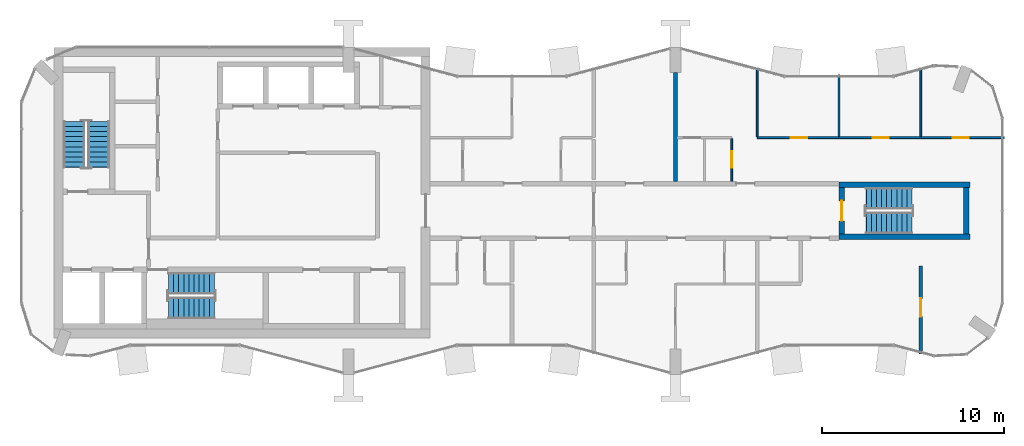
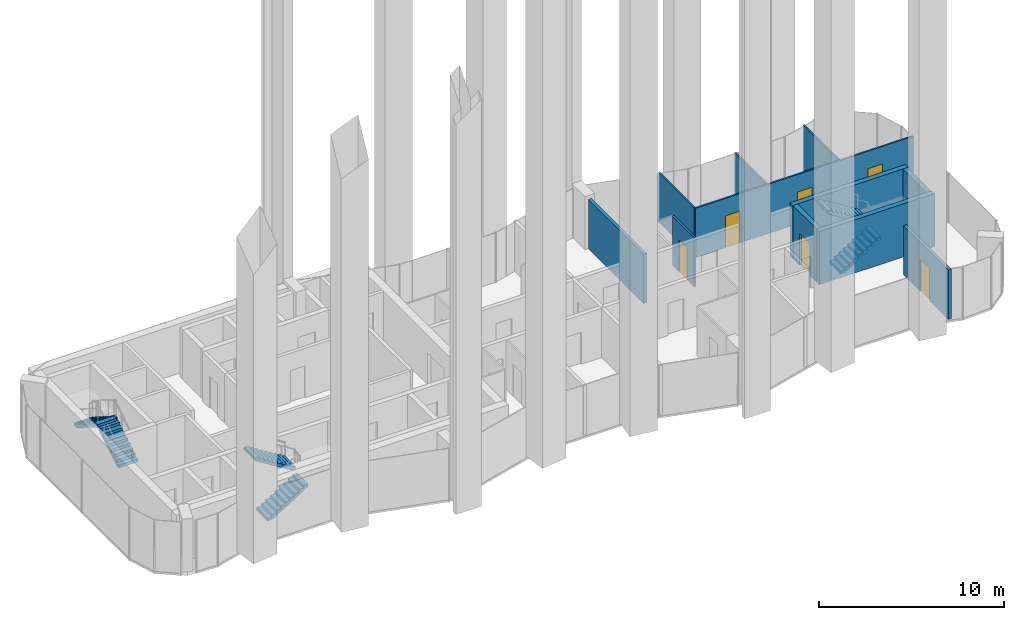
# One storey, part 9 of 11: 11 walls, 6 doors, 6 stair flights, 6 openings, 3 elements without a shape of their own.
"""IFC4 building model written with IfcOpenShell, lengths in metres."""

from ifc_helpers import new_model, si_unit, direction, frame, frame_2d, origin, place, context, subcontext, project, spatial, polyline, rectangle, outline, extrude, material, layer, layer_set, type_object, element, fill, aggregate, save


model = new_model("IFC4")

# Units and contexts
model_context = context("Model", 3, precision=1e-05, world=origin(), true_north=direction((0.0, 1.0)))
body_context = subcontext(model_context, "Body", "Model", "MODEL_VIEW")
ifc_project = project(units=[si_unit("LENGTHUNIT", "METRE"), si_unit("AREAUNIT", "SQUARE_METRE"), si_unit("VOLUMEUNIT", "CUBIC_METRE"), si_unit("PLANEANGLEUNIT", "RADIAN"), si_unit("MASSUNIT", "GRAM", prefix="KILO")], contexts=[model_context])

# Site, building, storey
site_placement = place(None, origin())
site = spatial("IfcSite", under=ifc_project, at=site_placement, CompositionType="ELEMENT")
building_placement = place(site_placement, origin())
building = spatial("IfcBuilding", under=site, at=building_placement, Name="Plateau Cross Towers", CompositionType="ELEMENT")
storey_placement = place(building_placement, frame((0.0, 0.0, 242.39990234375)))
storey = spatial("IfcBuildingStorey", under=building, at=storey_placement, Name="L63", CompositionType="ELEMENT", Elevation=242.39990234375)

# Wall, openings, doors
ifc_material_1 = material(Name="Gypsum board on steel studs", Category="steel")
ifc_layer_1 = layer(ifc_material_1, 0.10009765625)
ifc_layer_set_1 = layer_set([ifc_layer_1], Name="Gypsum board on steel studs")
wall_type_1 = type_object("IfcWallType", Name="Flat partition 100", PredefinedType="PARTITIONING", material=ifc_layer_set_1)
wall_1_placement = place(storey_placement, frame((40.5, 13.02490234375, 0.0), z_axis=(0.0, 0.0, 1.0), x_axis=(1.0, 0.0, 0.0)))
wall_1 = element("IfcWall", 1, at=wall_1_placement, inside=storey, type_object=wall_type_1, Name="Partition wall", PredefinedType="PARTITIONING", context=body_context, shape_type="SweptSolid", body=[
    extrude(rectangle(XDim=13.580078125, YDim=0.10009765625, at=frame_2d((6.7900390625, 0.0))), origin(), (0.0, 0.0, 1.0), 3.25),
])
opening_1_placement = place(wall_1_placement, frame((1.85009765625, 0.0, 0.0)))
opening_1 = element("IfcOpeningElement", 2, at=opening_1_placement, cuts=wall_1, Name="Opening 63-21", PredefinedType="OPENING", context=body_context, shape_type="SweptSolid", body=[
    extrude(rectangle(XDim=0.89990234375, YDim=2.10009765625, at=frame_2d((0.449951171875, 1.050048828125))), frame((0.0, 0.06005859375, 0.0), z_axis=(0.0, -1.0, 0.0), x_axis=(1.0, 0.0, 0.0)), (0.0, 0.0, 1.0), 0.1201171875),
])
opening_2_placement = place(wall_1_placement, frame((6.35009765625, 0.0, 0.0)))
opening_2 = element("IfcOpeningElement", 3, at=opening_2_placement, cuts=wall_1, Name="Opening 63-22", PredefinedType="OPENING", context=body_context, shape_type="SweptSolid", body=[
    extrude(rectangle(XDim=0.89990234375, YDim=2.10009765625, at=frame_2d((0.449951171875, 1.050048828125))), frame((0.0, 0.06005859375, 0.0), z_axis=(0.0, -1.0, 0.0), x_axis=(1.0, 0.0, 0.0)), (0.0, 0.0, 1.0), 0.1201171875),
])
opening_3_placement = place(wall_1_placement, frame((10.75, 0.0, 0.0)))
opening_3 = element("IfcOpeningElement", 4, at=opening_3_placement, cuts=wall_1, Name="Opening 63-23", PredefinedType="OPENING", context=body_context, shape_type="SweptSolid", body=[
    extrude(rectangle(XDim=0.89990234375, YDim=2.10009765625, at=frame_2d((0.449951171875, 1.050048828125))), frame((0.0, 0.06005859375, 0.0), z_axis=(0.0, -1.0, 0.0), x_axis=(1.0, 0.0, 0.0)), (0.0, 0.0, 1.0), 0.1201171875),
])
ifc_material_2 = material(Name="Timber leaf", Category="wood")
door_type_1 = type_object("IfcDoorType", Name="Flat room door 900", OperationType="NOTDEFINED", PredefinedType="DOOR", material=ifc_material_2)
door_1_placement = place(opening_1_placement, origin())
door_1 = element("IfcDoor", 5, at=door_1_placement, inside=storey, type_object=door_type_1, Name="Door 63-21", OperationType="SINGLE_SWING_LEFT", OverallHeight=2.10009765625, OverallWidth=0.89990234375, PredefinedType="DOOR", context=body_context, shape_type="SweptSolid", body=[
    extrude(rectangle(XDim=0.89990234375, YDim=2.10009765625, at=frame_2d((0.449951171875, 1.050048828125))), frame((0.0, 0.02490234375, 0.0), z_axis=(0.0, -1.0, 0.0), x_axis=(1.0, 0.0, 0.0)), (0.0, 0.0, 1.0), 0.050048828125),
])
fill(opening_1, door_1)
door_2_placement = place(opening_2_placement, origin())
door_2 = element("IfcDoor", 6, at=door_2_placement, inside=storey, type_object=door_type_1, Name="Door 63-22", OperationType="SINGLE_SWING_RIGHT", OverallHeight=2.10009765625, OverallWidth=0.89990234375, PredefinedType="DOOR", context=body_context, shape_type="SweptSolid", body=[
    extrude(rectangle(XDim=0.89990234375, YDim=2.10009765625, at=frame_2d((0.449951171875, 1.050048828125))), frame((0.0, 0.02490234375, 0.0), z_axis=(0.0, -1.0, 0.0), x_axis=(1.0, 0.0, 0.0)), (0.0, 0.0, 1.0), 0.050048828125),
])
fill(opening_2, door_2)
door_3_placement = place(opening_3_placement, origin())
door_3 = element("IfcDoor", 7, at=door_3_placement, inside=storey, type_object=door_type_1, Name="Door 63-23", OperationType="SINGLE_SWING_RIGHT", OverallHeight=2.10009765625, OverallWidth=0.89990234375, PredefinedType="DOOR", context=body_context, shape_type="SweptSolid", body=[
    extrude(rectangle(XDim=0.89990234375, YDim=2.10009765625, at=frame_2d((0.449951171875, 1.050048828125))), frame((0.0, 0.02490234375, 0.0), z_axis=(0.0, -1.0, 0.0), x_axis=(1.0, 0.0, 0.0)), (0.0, 0.0, 1.0), 0.050048828125),
])
fill(opening_3, door_3)

# Wall, opening, door
wall_2_placement = place(storey_placement, frame((39.10009765625, 10.625, 0.0), z_axis=(0.0, 0.0, 1.0), x_axis=(0.0, 1.0, 0.0)))
wall_2 = element("IfcWall", 8, at=wall_2_placement, inside=storey, type_object=wall_type_1, Name="Partition wall", PredefinedType="PARTITIONING", context=body_context, shape_type="SweptSolid", body=[
    extrude(rectangle(XDim=2.35009765625, YDim=0.10009765625, at=frame_2d((1.175048828125, 0.0))), origin(), (0.0, 0.0, 1.0), 3.25),
])
opening_4_placement = place(wall_2_placement, frame((0.75, 0.0, 0.0)))
opening_4 = element("IfcOpeningElement", 9, at=opening_4_placement, cuts=wall_2, Name="Opening 63-20", PredefinedType="OPENING", context=body_context, shape_type="SweptSolid", body=[
    extrude(rectangle(XDim=0.89990234375, YDim=2.10009765625, at=frame_2d((0.449951171875, 1.050048828125))), frame((0.0, 0.06005859375, 0.0), z_axis=(0.0, -1.0, 0.0), x_axis=(1.0, 0.0, 0.0)), (0.0, 0.0, 1.0), 0.1201171875),
])
door_4_placement = place(opening_4_placement, origin())
door_4 = element("IfcDoor", 10, at=door_4_placement, inside=storey, type_object=door_type_1, Name="Door 63-20", OperationType="SINGLE_SWING_RIGHT", OverallHeight=2.10009765625, OverallWidth=0.89990234375, PredefinedType="DOOR", context=body_context, shape_type="SweptSolid", body=[
    extrude(rectangle(XDim=0.89990234375, YDim=2.10009765625, at=frame_2d((0.449951171875, 1.050048828125))), frame((0.0, 0.02490234375, 0.0), z_axis=(0.0, -1.0, 0.0), x_axis=(1.0, 0.0, 0.0)), (0.0, 0.0, 1.0), 0.050048828125),
])
fill(opening_4, door_4)

# Walls
wall_3_placement = place(storey_placement, frame((40.5, 16.877685546875, 0.0), z_axis=(0.0, 0.0, 1.0), x_axis=(0.0, -1.0, 0.0)))
element("IfcWall", 11, at=wall_3_placement, inside=storey, type_object=wall_type_1, Name="Partition wall", PredefinedType="PARTITIONING", context=body_context, shape_type="SweptSolid", body=[
    extrude(rectangle(XDim=3.802734375, YDim=0.10009765625, at=frame_2d((1.9013671875, 0.0))), origin(), (0.0, 0.0, 1.0), 3.25),
])
wall_4_placement = place(storey_placement, frame((45.0, 13.074951171875, 0.0), z_axis=(0.0, 0.0, 1.0), x_axis=(0.0, 1.0, 0.0)))
element("IfcWall", 12, at=wall_4_placement, inside=storey, type_object=wall_type_1, Name="Partition wall", PredefinedType="PARTITIONING", context=body_context, shape_type="SweptSolid", body=[
    extrude(rectangle(XDim=3.398193359375, YDim=0.10009765625, at=frame_2d((1.69921875, 0.0))), origin(), (0.0, 0.0, 1.0), 3.25),
])
wall_5_placement = place(storey_placement, frame((49.5, 13.074951171875, 0.0), z_axis=(0.0, 0.0, 1.0), x_axis=(0.0, 1.0, 0.0)))
element("IfcWall", 13, at=wall_5_placement, inside=storey, type_object=wall_type_1, Name="Partition wall", PredefinedType="PARTITIONING", context=body_context, shape_type="SweptSolid", body=[
    extrude(rectangle(XDim=3.802734375, YDim=0.10009765625, at=frame_2d((1.9013671875, 0.0))), origin(), (0.0, 0.0, 1.0), 3.25),
])
ifc_material_3 = material(Name="Gypsum board on steel studs, two layers each side", Category="steel")
ifc_layer_2 = layer(ifc_material_3, 0.199951171875)
ifc_layer_set_2 = layer_set([ifc_layer_2], Name="Gypsum board on steel studs, two layers each side")
wall_type_2 = type_object("IfcWallType", Name="Flat party wall 200", PredefinedType="PARTITIONING", material=ifc_layer_set_2)
wall_6_placement = place(storey_placement, frame((36.0, 10.625, 0.0), z_axis=(0.0, 0.0, 1.0), x_axis=(0.0, 1.0, 0.0)))
element("IfcWall", 14, at=wall_6_placement, inside=storey, type_object=wall_type_2, Name="Party wall", PredefinedType="PARTITIONING", context=body_context, shape_type="SweptSolid", body=[
    extrude(rectangle(XDim=5.97509765625, YDim=0.199951171875, at=frame_2d((2.987548828125, 0.0))), origin(), (0.0, 0.0, 1.0), 3.25),
])

# Wall, opening, door
wall_7_placement = place(storey_placement, frame((49.5, 1.122314453125, 0.0), z_axis=(0.0, 0.0, 1.0), x_axis=(0.0, 1.0, 0.0)))
wall_7 = element("IfcWall", 15, at=wall_7_placement, inside=storey, type_object=wall_type_2, Name="Party wall", PredefinedType="PARTITIONING", context=body_context, shape_type="SweptSolid", body=[
    extrude(rectangle(XDim=4.82763671875, YDim=0.199951171875, at=frame_2d((2.413818359375, 0.0))), origin(), (0.0, 0.0, 1.0), 3.25),
])
opening_5_placement = place(wall_7_placement, frame((2.050048828125, 0.0, 0.0)))
opening_5 = element("IfcOpeningElement", 16, at=opening_5_placement, cuts=wall_7, Name="Opening 63-10", PredefinedType="OPENING", context=body_context, shape_type="SweptSolid", body=[
    extrude(rectangle(XDim=1.0, YDim=2.10009765625, at=frame_2d((0.5, 1.050048828125))), frame((0.0, 0.10986328125, 0.0), z_axis=(0.0, -1.0, 0.0), x_axis=(1.0, 0.0, 0.0)), (0.0, 0.0, 1.0), 0.219970703125),
])
ifc_material_4 = material(Name="Timber, fire-resisting leaf", Category="wood")
door_type_2 = type_object("IfcDoorType", Name="Flat entrance door 1000", OperationType="NOTDEFINED", PredefinedType="DOOR", material=ifc_material_4)
door_5_placement = place(opening_5_placement, origin())
door_5 = element("IfcDoor", 17, at=door_5_placement, inside=storey, type_object=door_type_2, Name="Door 63-10", OperationType="SINGLE_SWING_RIGHT", OverallHeight=2.10009765625, OverallWidth=1.0, PredefinedType="DOOR", context=body_context, shape_type="SweptSolid", body=[
    extrude(rectangle(XDim=1.0, YDim=2.10009765625, at=frame_2d((0.5, 1.050048828125))), frame((0.0, 0.02490234375, 0.0), z_axis=(0.0, -1.0, 0.0), x_axis=(1.0, 0.0, 0.0)), (0.0, 0.0, 1.0), 0.050048828125),
])
fill(opening_5, door_5)

ifc_material_5 = material(Name="Concrete C60/75", Category="concrete")
ifc_layer_3 = layer(ifc_material_5, 0.300048828125)
ifc_layer_set_3 = layer_set([ifc_layer_3], Name="Concrete C60/75")
wall_type_3 = type_object("IfcWallType", Name="Stair tower wall 300", PredefinedType="SHEAR", material=ifc_layer_set_3)
wall_8_placement = place(storey_placement, frame((45.14990234375, 7.72509765625, 0.0), z_axis=(0.0, 0.0, 1.0), x_axis=(0.0, 1.0, 0.0)))
wall_8 = element("IfcWall", 18, at=wall_8_placement, inside=storey, type_object=wall_type_3, Name="A-end-E-W@L63", PredefinedType="SHEAR", context=body_context, shape_type="SweptSolid", body=[
    extrude(rectangle(XDim=2.5498046875, YDim=0.300048828125, at=frame_2d((1.27490234375, 0.0))), origin(), (0.0, 0.0, 1.0), 3.5),
])
opening_6_placement = place(wall_8_placement, frame((0.72509765625, 0.0, 0.0)))
opening_6 = element("IfcOpeningElement", 19, at=opening_6_placement, cuts=wall_8, Name="Opening SD", PredefinedType="OPENING", context=body_context, shape_type="SweptSolid", body=[
    extrude(rectangle(XDim=1.10009765625, YDim=2.10009765625, at=frame_2d((0.550048828125, 1.050048828125))), frame((0.0, 0.159912109375, 0.0), z_axis=(0.0, -1.0, 0.0), x_axis=(1.0, 0.0, 0.0)), (0.0, 0.0, 1.0), 0.320068359375),
])
ifc_material_6 = material(Name="Steel, fire-resisting leaf", Category="steel")
door_type_3 = type_object("IfcDoorType", Name="Stair door 1100", OperationType="NOTDEFINED", PredefinedType="DOOR", material=ifc_material_6)
door_6_placement = place(opening_6_placement, origin())
door_6 = element("IfcDoor", 20, at=door_6_placement, inside=storey, type_object=door_type_3, Name="Stair door SD", OperationType="SINGLE_SWING_LEFT", OverallHeight=2.10009765625, OverallWidth=1.10009765625, PredefinedType="DOOR", context=body_context, shape_type="SweptSolid", body=[
    extrude(rectangle(XDim=1.10009765625, YDim=2.10009765625, at=frame_2d((0.550048828125, 1.050048828125))), frame((0.0, 0.02490234375, 0.0), z_axis=(0.0, -1.0, 0.0), x_axis=(1.0, 0.0, 0.0)), (0.0, 0.0, 1.0), 0.050048828125),
])
fill(opening_6, door_6)

# Walls
wall_9_placement = place(storey_placement, frame((52.0, 7.72509765625, 0.0), z_axis=(0.0, 0.0, 1.0), x_axis=(0.0, 1.0, 0.0)))
element("IfcWall", 21, at=wall_9_placement, inside=storey, type_object=wall_type_3, Name="A-end-E-E@L63", PredefinedType="SHEAR", context=body_context, shape_type="SweptSolid", body=[
    extrude(rectangle(XDim=2.5498046875, YDim=0.300048828125, at=frame_2d((1.27490234375, 0.0))), origin(), (0.0, 0.0, 1.0), 3.5),
])
for number, where, z_axis, x_axis, name in (
    (22, (45.0, 7.574951171875, 0.0), (0.0, 0.0, 1.0), (1.0, 0.0, 0.0), "A-end-E-S@L63"),
    (23, (45.0, 10.425048828125, 0.0), (0.0, 0.0, 1.0), (1.0, 0.0, 0.0), "A-end-E-N@L63"),
):
    element("IfcWall", number, at=place(storey_placement, frame(where, z_axis=z_axis, x_axis=x_axis)), inside=storey, type_object=wall_type_3, Name=name, PredefinedType="SHEAR", context=body_context, shape_type="SweptSolid", body=[
        extrude(rectangle(XDim=7.199951171875, YDim=0.300048828125, at=frame_2d((3.60009765625, 0.0))), origin(), (0.0, 0.0, 1.0), 3.5),
    ])

# Stair, stair flights
ifc_material_7 = material(Name="Concrete C40/50", Category="concrete")
stair_type = type_object("IfcStairType", Name="ST-TWR", PredefinedType="HALF_TURN_STAIR", material=ifc_material_7)
stair_1_placement = place(storey_placement, origin())
stair_1 = element("IfcStair", 24, at=stair_1_placement, inside=storey, type_object=stair_type, Name="L63 Protected Exit Stair ST-1", PredefinedType="HALF_TURN_STAIR")
stair_flight_type = type_object("IfcStairFlightType", Name="SFL-RC", PredefinedType="STRAIGHT", material=ifc_material_7)
stair_flight_1_placement = place(storey_placement, frame((4.25, 11.39990234375, 0.0), z_axis=(0.0, 0.0, 1.0), x_axis=(0.0, 1.0, 0.0)))
stair_flight_1 = element("IfcStairFlight", 25, at=stair_flight_1_placement, type_object=stair_flight_type, Name="ST-1 flight 1", NumberOfRisers=10, NumberOfTreads=9, PredefinedType="STRAIGHT", RiserHeight=0.175, TreadLength=0.28, context=body_context, shape_type="SweptSolid", body=[
    extrude(outline(polyline([(-0.0048828125, -0.010009765625), (-0.0048828125, 0.0), (0.0, 0.0), (0.0, 0.175048828125), (0.280029296875, 0.175048828125), (0.280029296875, 0.35009765625), (0.56005859375, 0.35009765625), (0.56005859375, 0.52490234375), (0.840087890625, 0.52490234375), (0.840087890625, 0.699951171875), (1.1201171875, 0.699951171875), (1.1201171875, 0.875), (1.39990234375, 0.875), (1.39990234375, 1.050048828125), (1.679931640625, 1.050048828125), (1.679931640625, 1.22509765625), (1.9599609375, 1.22509765625), (1.9599609375, 1.39990234375), (2.239990234375, 1.39990234375), (2.239990234375, 1.574951171875), (2.52001953125, 1.574951171875), (2.52490234375, 1.56494140625), (2.52490234375, 1.398193359375), (2.52001953125, 1.398193359375), (0.28271484375, 0.0), (0.02001953125, 0.0), (0.02001953125, -0.010009765625), (-0.0048828125, -0.010009765625)])), frame((0.0, 0.60009765625, 0.0), z_axis=(0.0, -1.0, 0.0), x_axis=(1.0, 0.0, 0.0)), (0.0, 0.0, 1.0), 1.199951171875),
])
stair_flight_2_placement = place(storey_placement, frame((2.89990234375, 13.919921875, 1.75), z_axis=(0.0, 0.0, 1.0), x_axis=(0.0, -1.0, 0.0)))
stair_flight_2 = element("IfcStairFlight", 26, at=stair_flight_2_placement, type_object=stair_flight_type, Name="ST-1 flight 2", NumberOfRisers=10, NumberOfTreads=9, PredefinedType="STRAIGHT", RiserHeight=0.175, TreadLength=0.28, context=body_context, shape_type="SweptSolid", body=[
    extrude(outline(polyline([(-0.0048828125, -0.010009765625), (-0.0048828125, 0.0), (0.0, 0.0), (0.0, 0.175048828125), (0.280029296875, 0.175048828125), (0.280029296875, 0.35009765625), (0.56005859375, 0.35009765625), (0.56005859375, 0.52490234375), (0.840087890625, 0.52490234375), (0.840087890625, 0.699951171875), (1.1201171875, 0.699951171875), (1.1201171875, 0.875), (1.39990234375, 0.875), (1.39990234375, 1.050048828125), (1.679931640625, 1.050048828125), (1.679931640625, 1.22509765625), (1.9599609375, 1.22509765625), (1.9599609375, 1.39990234375), (2.239990234375, 1.39990234375), (2.239990234375, 1.574951171875), (2.52001953125, 1.574951171875), (2.52490234375, 1.56494140625), (2.52490234375, 1.398193359375), (2.52001953125, 1.398193359375), (0.28271484375, 0.0), (0.02001953125, 0.0), (0.02001953125, -0.010009765625), (-0.0048828125, -0.010009765625)])), frame((0.0, 0.60009765625, 0.0), z_axis=(0.0, -1.0, 0.0), x_axis=(1.0, 0.0, 0.0)), (0.0, 0.0, 1.0), 1.199951171875),
])
aggregate(stair_1, [stair_flight_1, stair_flight_2])

stair_2_placement = place(storey_placement, origin())
stair_2 = element("IfcStair", 27, at=stair_2_placement, inside=storey, type_object=stair_type, Name="L63 Protected Exit Stair ST-2", PredefinedType="HALF_TURN_STAIR")
stair_flight_3_placement = place(storey_placement, frame((8.10009765625, 3.64990234375, 0.0), z_axis=(0.0, 0.0, 1.0), x_axis=(1.0, 0.0, 0.0)))
stair_flight_3 = element("IfcStairFlight", 28, at=stair_flight_3_placement, type_object=stair_flight_type, Name="ST-2 flight 1", NumberOfRisers=10, NumberOfTreads=9, PredefinedType="STRAIGHT", RiserHeight=0.175, TreadLength=0.28, context=body_context, shape_type="SweptSolid", body=[
    extrude(outline(polyline([(-0.0048828125, -0.010009765625), (-0.0048828125, 0.0), (0.0, 0.0), (0.0, 0.175048828125), (0.280029296875, 0.175048828125), (0.280029296875, 0.35009765625), (0.56005859375, 0.35009765625), (0.56005859375, 0.52490234375), (0.840087890625, 0.52490234375), (0.840087890625, 0.699951171875), (1.1201171875, 0.699951171875), (1.1201171875, 0.875), (1.39990234375, 0.875), (1.39990234375, 1.050048828125), (1.679931640625, 1.050048828125), (1.679931640625, 1.22509765625), (1.9599609375, 1.22509765625), (1.9599609375, 1.39990234375), (2.239990234375, 1.39990234375), (2.239990234375, 1.574951171875), (2.52001953125, 1.574951171875), (2.52490234375, 1.56494140625), (2.52490234375, 1.398193359375), (2.52001953125, 1.398193359375), (0.28271484375, 0.0), (0.02001953125, 0.0), (0.02001953125, -0.010009765625), (-0.0048828125, -0.010009765625)])), frame((0.0, 0.60009765625, 0.0), z_axis=(0.0, -1.0, 0.0), x_axis=(1.0, 0.0, 0.0)), (0.0, 0.0, 1.0), 1.199951171875),
])
stair_flight_4_placement = place(storey_placement, frame((10.6201171875, 5.0, 1.75), z_axis=(0.0, 0.0, 1.0), x_axis=(-1.0, 0.0, 0.0)))
stair_flight_4 = element("IfcStairFlight", 29, at=stair_flight_4_placement, type_object=stair_flight_type, Name="ST-2 flight 2", NumberOfRisers=10, NumberOfTreads=9, PredefinedType="STRAIGHT", RiserHeight=0.175, TreadLength=0.28, context=body_context, shape_type="SweptSolid", body=[
    extrude(outline(polyline([(-0.0048828125, -0.010009765625), (-0.0048828125, 0.0), (0.0, 0.0), (0.0, 0.175048828125), (0.280029296875, 0.175048828125), (0.280029296875, 0.35009765625), (0.56005859375, 0.35009765625), (0.56005859375, 0.52490234375), (0.840087890625, 0.52490234375), (0.840087890625, 0.699951171875), (1.1201171875, 0.699951171875), (1.1201171875, 0.875), (1.39990234375, 0.875), (1.39990234375, 1.050048828125), (1.679931640625, 1.050048828125), (1.679931640625, 1.22509765625), (1.9599609375, 1.22509765625), (1.9599609375, 1.39990234375), (2.239990234375, 1.39990234375), (2.239990234375, 1.574951171875), (2.52001953125, 1.574951171875), (2.52490234375, 1.56494140625), (2.52490234375, 1.398193359375), (2.52001953125, 1.398193359375), (0.28271484375, 0.0), (0.02001953125, 0.0), (0.02001953125, -0.010009765625), (-0.0048828125, -0.010009765625)])), frame((0.0, 0.60009765625, 0.0), z_axis=(0.0, -1.0, 0.0), x_axis=(1.0, 0.0, 0.0)), (0.0, 0.0, 1.0), 1.199951171875),
])
aggregate(stair_2, [stair_flight_3, stair_flight_4])

stair_3_placement = place(storey_placement, origin())
stair_3 = element("IfcStair", 30, at=stair_3_placement, inside=storey, type_object=stair_type, Name="L63 Protected Exit Stair E", PredefinedType="HALF_TURN_STAIR")
stair_flight_5_placement = place(storey_placement, frame((46.5, 8.324951171875, 0.0), z_axis=(0.0, 0.0, 1.0), x_axis=(1.0, 0.0, 0.0)))
stair_flight_5 = element("IfcStairFlight", 31, at=stair_flight_5_placement, type_object=stair_flight_type, Name="ES-E flight 1", NumberOfRisers=10, NumberOfTreads=9, PredefinedType="STRAIGHT", RiserHeight=0.175, TreadLength=0.28, context=body_context, shape_type="SweptSolid", body=[
    extrude(outline(polyline([(-0.0048828125, -0.010009765625), (-0.0048828125, 0.0), (0.0, 0.0), (0.0, 0.175048828125), (0.280029296875, 0.175048828125), (0.280029296875, 0.35009765625), (0.56005859375, 0.35009765625), (0.56005859375, 0.52490234375), (0.840087890625, 0.52490234375), (0.840087890625, 0.699951171875), (1.1201171875, 0.699951171875), (1.1201171875, 0.875), (1.39990234375, 0.875), (1.39990234375, 1.050048828125), (1.679931640625, 1.050048828125), (1.679931640625, 1.22509765625), (1.9599609375, 1.22509765625), (1.9599609375, 1.39990234375), (2.239990234375, 1.39990234375), (2.239990234375, 1.574951171875), (2.52001953125, 1.574951171875), (2.52490234375, 1.56494140625), (2.52490234375, 1.398193359375), (2.52001953125, 1.398193359375), (0.28271484375, 0.0), (0.02001953125, 0.0), (0.02001953125, -0.010009765625), (-0.0048828125, -0.010009765625)])), frame((0.0, 0.60009765625, 0.0), z_axis=(0.0, -1.0, 0.0), x_axis=(1.0, 0.0, 0.0)), (0.0, 0.0, 1.0), 1.199951171875),
])
stair_flight_6_placement = place(storey_placement, frame((49.02001953125, 9.675048828125, 1.75), z_axis=(0.0, 0.0, 1.0), x_axis=(-1.0, 0.0, 0.0)))
stair_flight_6 = element("IfcStairFlight", 32, at=stair_flight_6_placement, type_object=stair_flight_type, Name="ES-E flight 2", NumberOfRisers=10, NumberOfTreads=9, PredefinedType="STRAIGHT", RiserHeight=0.175, TreadLength=0.28, context=body_context, shape_type="SweptSolid", body=[
    extrude(outline(polyline([(-0.0048828125, -0.010009765625), (-0.0048828125, 0.0), (0.0, 0.0), (0.0, 0.175048828125), (0.280029296875, 0.175048828125), (0.280029296875, 0.35009765625), (0.56005859375, 0.35009765625), (0.56005859375, 0.52490234375), (0.840087890625, 0.52490234375), (0.840087890625, 0.699951171875), (1.1201171875, 0.699951171875), (1.1201171875, 0.875), (1.39990234375, 0.875), (1.39990234375, 1.050048828125), (1.679931640625, 1.050048828125), (1.679931640625, 1.22509765625), (1.9599609375, 1.22509765625), (1.9599609375, 1.39990234375), (2.239990234375, 1.39990234375), (2.239990234375, 1.574951171875), (2.52001953125, 1.574951171875), (2.52490234375, 1.56494140625), (2.52490234375, 1.398193359375), (2.52001953125, 1.398193359375), (0.28271484375, 0.0), (0.02001953125, 0.0), (0.02001953125, -0.010009765625), (-0.0048828125, -0.010009765625)])), frame((0.0, 0.60009765625, 0.0), z_axis=(0.0, -1.0, 0.0), x_axis=(1.0, 0.0, 0.0)), (0.0, 0.0, 1.0), 1.199951171875),
])
aggregate(stair_3, [stair_flight_5, stair_flight_6])

save(model, "model.ifc")
